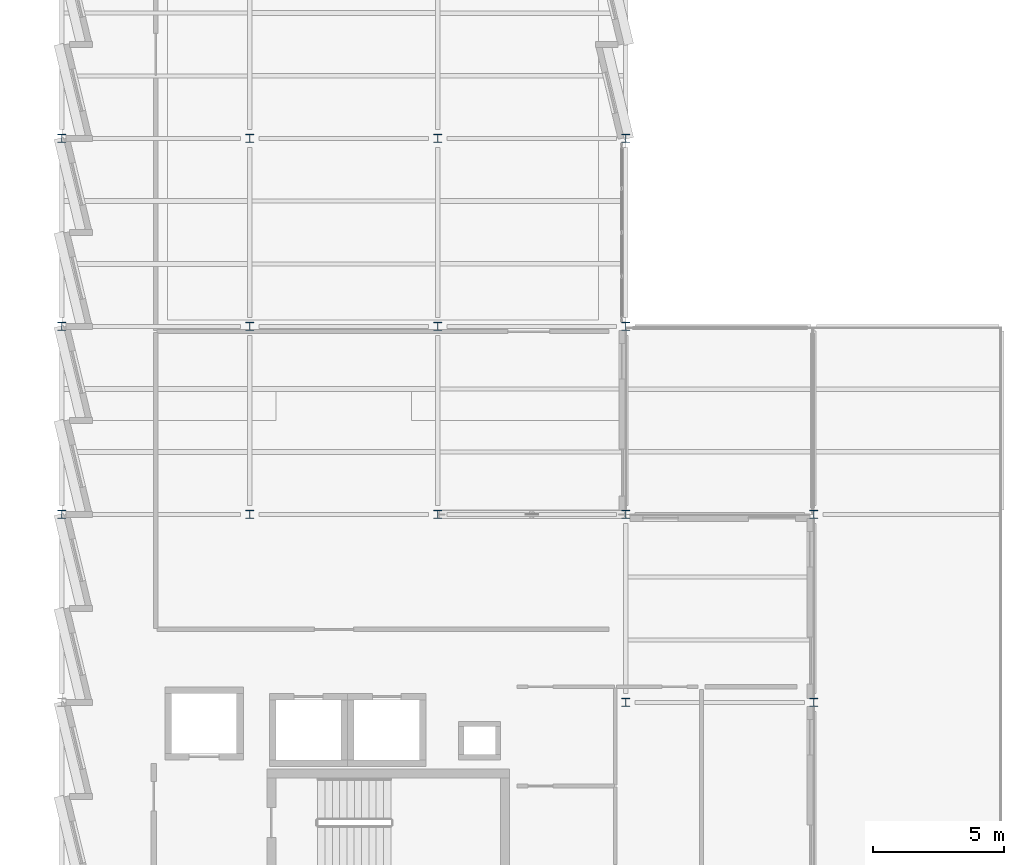
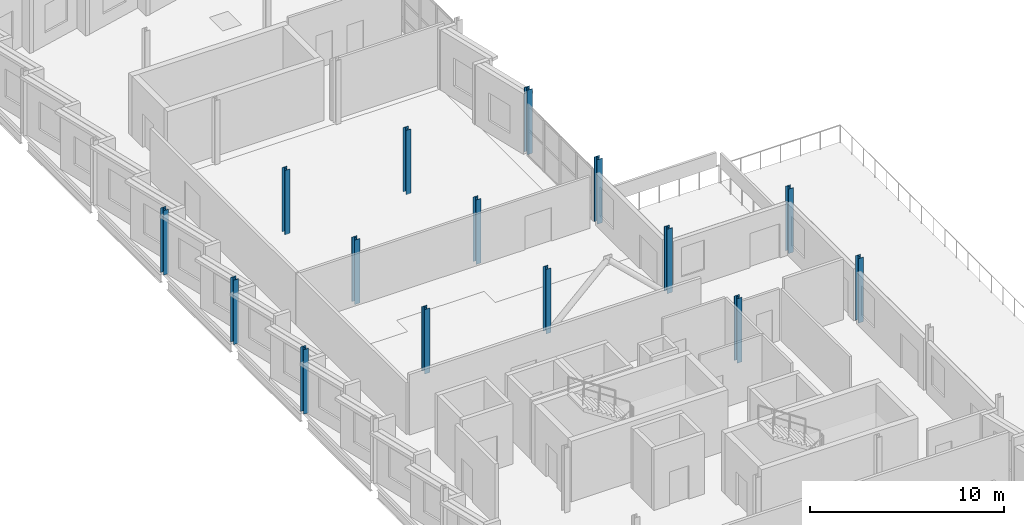
# One storey, part 2 of 18: 15 columns.
"""IFC4 building model written with IfcOpenShell, lengths in metres."""

from ifc_helpers import new_model, si_unit, direction, frame, origin, origin_2d, place, context, subcontext, project, spatial, i_section, extrude, material, material_profile, profile_set, type_object, element, save


model = new_model("IFC4")

# Units and contexts
model_context = context("Model", 3, precision=1e-05, world=origin(), true_north=direction((0.0, 1.0)))
body_context = subcontext(model_context, "Body", "Model", "MODEL_VIEW")
ifc_project = project(units=[si_unit("LENGTHUNIT", "METRE"), si_unit("AREAUNIT", "SQUARE_METRE"), si_unit("VOLUMEUNIT", "CUBIC_METRE"), si_unit("PLANEANGLEUNIT", "RADIAN"), si_unit("MASSUNIT", "GRAM", prefix="KILO")], contexts=[model_context])

# Site, building, storey
site_placement = place(None, origin())
site = spatial("IfcSite", under=ifc_project, at=site_placement, CompositionType="ELEMENT")
building_placement = place(site_placement, origin())
building = spatial("IfcBuilding", under=site, at=building_placement, Name="Kalmorath City Hall", CompositionType="ELEMENT")
storey_placement = place(building_placement, frame((0.0, 0.0, 27.0)))
storey = spatial("IfcBuildingStorey", under=building, at=storey_placement, Name="L06", CompositionType="ELEMENT", Elevation=27.0)

# Columns
ifc_material = material(Name="Steel ASTM A992 Grade 50", Category="steel")
ifc_material_profile = material_profile(ifc_material, i_section(OverallWidth=0.304931640625, OverallDepth=0.30810546875, WebThickness=0.010009765625, FlangeThickness=0.015380859375, FilletRadius=0.014892578125, at=origin_2d()), Name="W12X65")
ifc_profile_set = profile_set([ifc_material_profile], Name="Steel ASTM A992 Grade 50")
column_type = type_object("IfcColumnType", Name="Steel wide-flange column W12X65", PredefinedType="COLUMN", material=ifc_profile_set)
for number, where, z_axis, x_axis, name in (
    (1, (0.0, 28.800048828125, 0.0), (0.0, 0.0, 1.0), (1.0, 0.0, 0.0), "L06 column SC5 (1/5)"),
    (2, (0.0, 36.0, 0.0), (0.0, 0.0, 1.0), (1.0, 0.0, 0.0), "L06 column SC5 (1/6)"),
    (3, (0.0, 43.199951171875, 0.0), (0.0, 0.0, 1.0), (1.0, 0.0, 0.0), "L06 column SC5 (1/7)"),
    (4, (7.199951171875, 28.800048828125, 0.0), (0.0, 0.0, 1.0), (1.0, 0.0, 0.0), "L06 column SC5 (2/5)"),
    (5, (7.199951171875, 36.0, 0.0), (0.0, 0.0, 1.0), (1.0, 0.0, 0.0), "L06 column SC5 (2/6)"),
    (6, (7.199951171875, 43.199951171875, 0.0), (0.0, 0.0, 1.0), (1.0, 0.0, 0.0), "L06 column SC5 (2/7)"),
    (7, (14.39990234375, 28.800048828125, 0.0), (0.0, 0.0, 1.0), (1.0, 0.0, 0.0), "L06 column SC5 (3/5)"),
    (8, (14.39990234375, 36.0, 0.0), (0.0, 0.0, 1.0), (1.0, 0.0, 0.0), "L06 column SC5 (3/6)"),
    (9, (14.39990234375, 43.199951171875, 0.0), (0.0, 0.0, 1.0), (1.0, 0.0, 0.0), "L06 column SC5 (3/7)"),
    (10, (21.60009765625, 21.60009765625, 0.0), (0.0, 0.0, 1.0), (1.0, 0.0, 0.0), "L06 column SC5 (4/4)"),
    (11, (21.60009765625, 28.800048828125, 0.0), (0.0, 0.0, 1.0), (1.0, 0.0, 0.0), "L06 column SC5 (4/5)"),
    (12, (21.60009765625, 36.0, 0.0), (0.0, 0.0, 1.0), (1.0, 0.0, 0.0), "L06 column SC5 (4/6)"),
    (13, (21.60009765625, 43.199951171875, 0.0), (0.0, 0.0, 1.0), (1.0, 0.0, 0.0), "L06 column SC5 (4/7)"),
    (14, (28.800048828125, 21.60009765625, 0.0), (0.0, 0.0, 1.0), (1.0, 0.0, 0.0), "L06 column SC5 (5/4)"),
    (15, (28.800048828125, 28.800048828125, 0.0), (0.0, 0.0, 1.0), (1.0, 0.0, 0.0), "L06 column SC5 (5/5)"),
):
    element("IfcColumn", number, at=place(storey_placement, frame(where, z_axis=z_axis, x_axis=x_axis)), inside=storey, type_object=column_type, Name=name, PredefinedType="COLUMN", context=body_context, shape_type="SweptSolid", body=[
        extrude(i_section(OverallWidth=0.304931640625, OverallDepth=0.30810546875, WebThickness=0.010009765625, FlangeThickness=0.015380859375, FilletRadius=0.014892578125, at=origin_2d()), origin(), (0.0, 0.0, 1.0), 4.050048828125),
    ])

save(model, "model.ifc")
